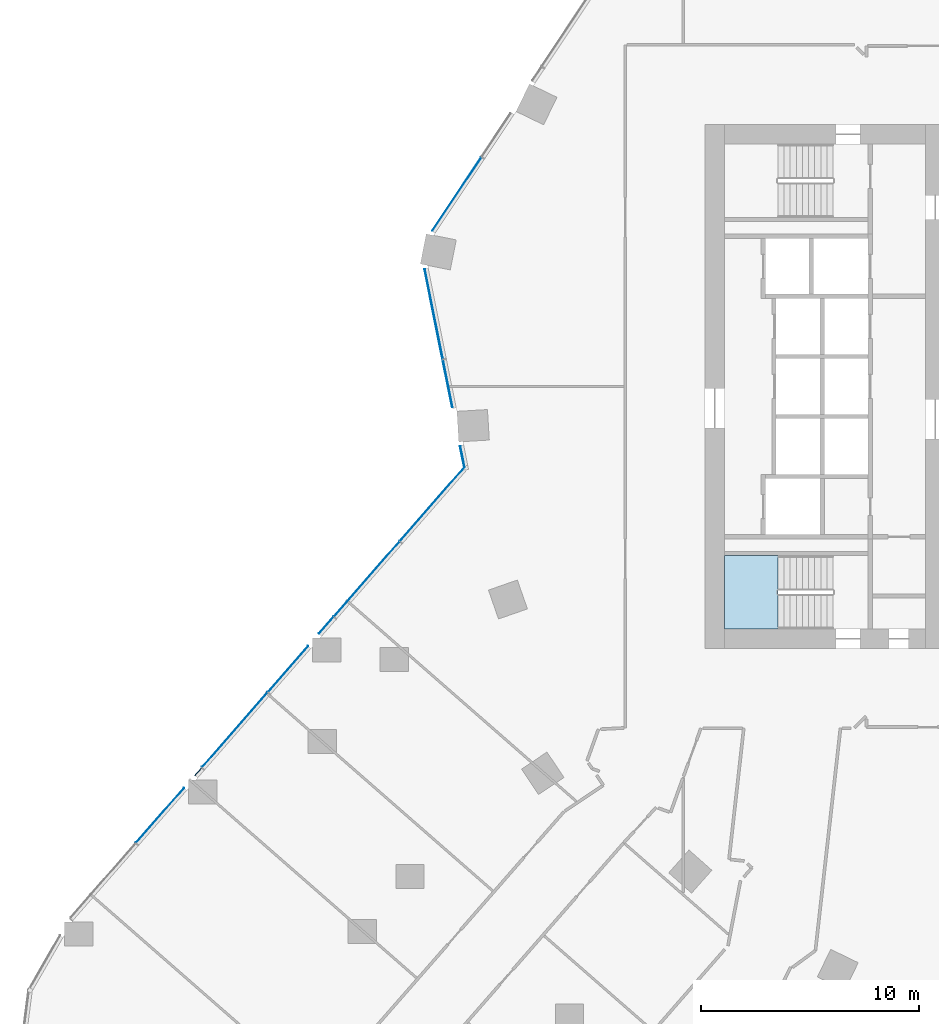
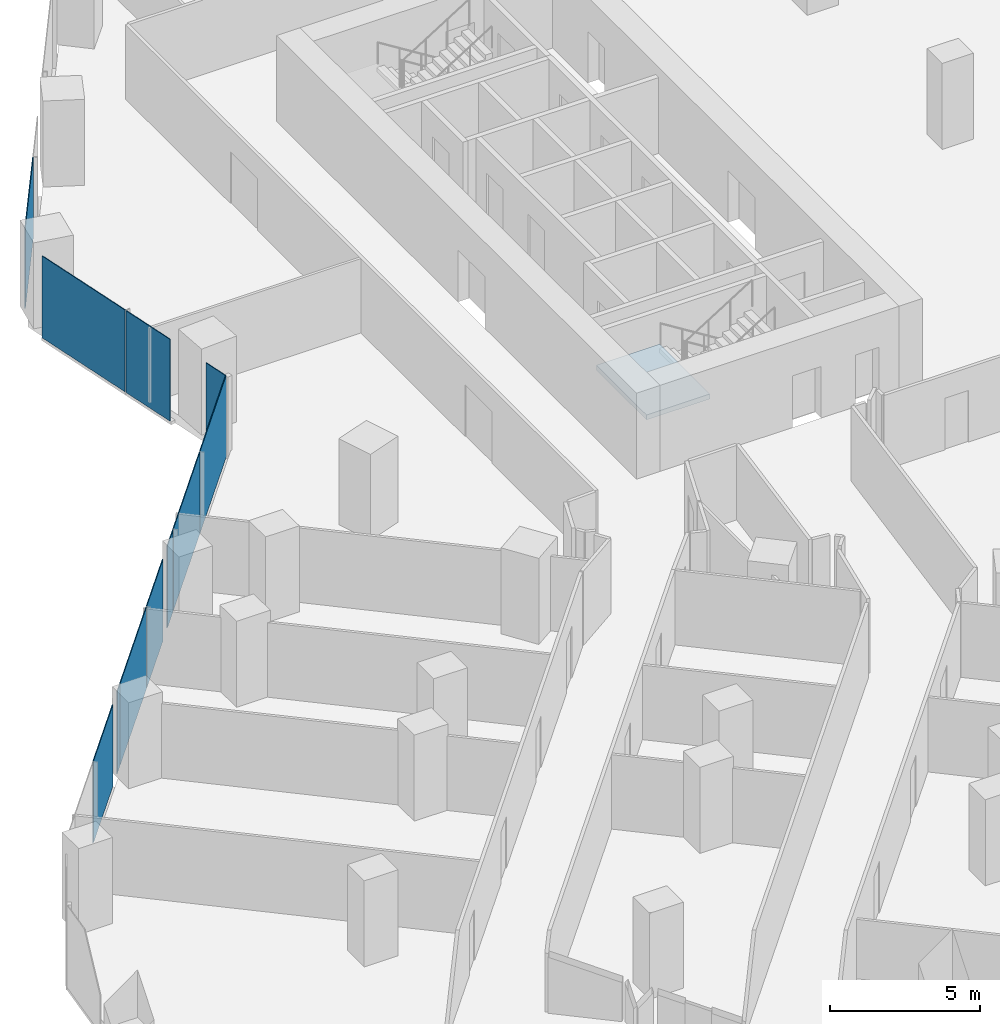
# One storey, part 20 of 38: 11 plates, 1 slab, 4 elements without a shape of their own.
"""IFC4 building model written with IfcOpenShell, lengths in metres."""

from ifc_helpers import new_model, si_unit, direction, frame, origin, origin_2d, place, context, subcontext, project, spatial, polyline, rectangle, outline, extrude, material, layer, layer_set, type_object, element, aggregate, save


model = new_model("IFC4")

# Units and contexts
model_context = context("Model", 3, precision=1e-05, world=origin(), true_north=direction((0.0, 1.0)))
body_context = subcontext(model_context, "Body", "Model", "MODEL_VIEW")
ifc_project = project(units=[si_unit("LENGTHUNIT", "METRE"), si_unit("AREAUNIT", "SQUARE_METRE"), si_unit("VOLUMEUNIT", "CUBIC_METRE"), si_unit("PLANEANGLEUNIT", "RADIAN"), si_unit("MASSUNIT", "GRAM", prefix="KILO")], contexts=[model_context])

# Site, building, storey
site_placement = place(None, origin())
site = spatial("IfcSite", under=ifc_project, at=site_placement, CompositionType="ELEMENT")
building_placement = place(site_placement, origin())
building = spatial("IfcBuilding", under=site, at=building_placement, Name="Orlundy Tower", CompositionType="ELEMENT")
storey_placement = place(building_placement, frame((0.0, 0.0, 69.300048828125)))
storey = spatial("IfcBuildingStorey", under=building, at=storey_placement, Name="L16", CompositionType="ELEMENT", Elevation=69.300048828125)

# Curtain wall, plates
ifc_material_1 = material(Name="Aluminium bronze anodised", Category="aluminium")
curtain_wall_type = type_object("IfcCurtainWallType", Name="CW1 wall", PredefinedType="NOTDEFINED", material=ifc_material_1)
curtain_wall_1_placement = place(storey_placement, origin())
curtain_wall_1 = element("IfcCurtainWall", 1, at=curtain_wall_1_placement, inside=storey, type_object=curtain_wall_type, Name="CW1 run 012", PredefinedType="NOTDEFINED")
ifc_material_2 = material(Name="Tinted glass", Category="glass")
ifc_layer_1 = layer(ifc_material_2, 0.031982421875)
ifc_layer_set_1 = layer_set([ifc_layer_1], Name="CW1 glass panel 32")
plate_type = type_object("IfcPlateType", Name="CW1 glass panel 32", PredefinedType="CURTAIN_PANEL", material=ifc_layer_set_1)
plate_1_placement = place(storey_placement, frame((-43.957275390625, -19.63818359375, -0.280029296875), z_axis=(0.0, 0.0, 1.0), x_axis=(0.658273153933, 0.752779154075, 0.0)))
plate_1 = element("IfcPlate", 2, at=plate_1_placement, type_object=plate_type, Name="CW1 panel", PredefinedType="CURTAIN_PANEL", context=body_context, shape_type="SweptSolid", body=[
    extrude(rectangle(XDim=3.33642578125, YDim=0.031982421875, at=origin_2d()), origin(), (0.0, 0.0, 1.0), 3.330078125),
])
plate_2_placement = place(storey_placement, frame((-42.218017578125, -17.649169921875, -0.280029296875), z_axis=(0.0, 0.0, 1.0), x_axis=(0.658273153933, 0.752779154075, 0.0)))
plate_2 = element("IfcPlate", 3, at=plate_2_placement, type_object=plate_type, Name="CW1 panel", PredefinedType="CURTAIN_PANEL", context=body_context, shape_type="SweptSolid", body=[
    extrude(rectangle(XDim=0.456787109375, YDim=0.031982421875, at=origin_2d()), origin(), (0.0, 0.0, 1.0), 3.330078125),
])
plate_3_placement = place(storey_placement, frame((-40.540771484375, -15.731201171875, -0.280029296875), z_axis=(0.0, 0.0, 1.0), x_axis=(0.658273153933, 0.752779154075, 0.0)))
plate_3 = element("IfcPlate", 4, at=plate_3_placement, type_object=plate_type, Name="CW1 panel", PredefinedType="CURTAIN_PANEL", context=body_context, shape_type="SweptSolid", body=[
    extrude(rectangle(XDim=4.538818359375, YDim=0.031982421875, at=origin_2d()), origin(), (0.0, 0.0, 1.0), 3.330078125),
])
plate_4_placement = place(storey_placement, frame((-38.095458984375, -12.934814453125, -0.280029296875), z_axis=(0.0, 0.0, 1.0), x_axis=(0.658273153933, 0.752779154075, 0.0)))
plate_4 = element("IfcPlate", 5, at=plate_4_placement, type_object=plate_type, Name="CW1 panel", PredefinedType="CURTAIN_PANEL", context=body_context, shape_type="SweptSolid", body=[
    extrude(rectangle(XDim=2.79052734375, YDim=0.031982421875, at=origin_2d()), origin(), (0.0, 0.0, 1.0), 3.330078125),
])
plate_5_placement = place(storey_placement, frame((-36.355712890625, -10.9453125, -0.280029296875), z_axis=(0.0, 0.0, 1.0), x_axis=(0.658273153933, 0.752779154075, 0.0)))
plate_5 = element("IfcPlate", 6, at=plate_5_placement, type_object=plate_type, Name="CW1 panel", PredefinedType="CURTAIN_PANEL", context=body_context, shape_type="SweptSolid", body=[
    extrude(rectangle(XDim=1.0009765625, YDim=0.031982421875, at=origin_2d()), origin(), (0.0, 0.0, 1.0), 3.330078125),
])
plate_6_placement = place(storey_placement, frame((-34.49951171875, -8.822509765625, -0.280029296875), z_axis=(0.0, 0.0, 1.0), x_axis=(0.658273153933, 0.752779154075, 0.0)))
plate_6 = element("IfcPlate", 7, at=plate_6_placement, type_object=plate_type, Name="CW1 panel", PredefinedType="CURTAIN_PANEL", context=body_context, shape_type="SweptSolid", body=[
    extrude(rectangle(XDim=4.538818359375, YDim=0.031982421875, at=origin_2d()), origin(), (0.0, 0.0, 1.0), 3.330078125),
])
plate_7_placement = place(storey_placement, frame((-31.4970703125, -5.38916015625, -0.280029296875), z_axis=(0.0, 0.0, 1.0), x_axis=(0.658273153933, 0.752779154075, 0.0)))
plate_7 = element("IfcPlate", 8, at=plate_7_placement, type_object=plate_type, Name="CW1 panel", PredefinedType="CURTAIN_PANEL", context=body_context, shape_type="SweptSolid", body=[
    extrude(rectangle(XDim=4.48291015625, YDim=0.031982421875, at=origin_2d()), origin(), (0.0, 0.0, 1.0), 3.330078125),
])
aggregate(curtain_wall_1, [plate_1, plate_2, plate_3, plate_4, plate_5, plate_6, plate_7])

curtain_wall_2_placement = place(storey_placement, origin())
curtain_wall_2 = element("IfcCurtainWall", 9, at=curtain_wall_2_placement, inside=storey, type_object=curtain_wall_type, Name="CW1 run 013", PredefinedType="NOTDEFINED")
plate_8_placement = place(storey_placement, frame((-30.11865234375, -3.21826171875, -0.280029296875), z_axis=(0.0, 0.0, 1.0), x_axis=(-0.196529373401, 0.980497937474, 0.0)))
plate_8 = element("IfcPlate", 10, at=plate_8_placement, type_object=plate_type, Name="CW1 panel", PredefinedType="CURTAIN_PANEL", context=body_context, shape_type="SweptSolid", body=[
    extrude(rectangle(XDim=0.986572265625, YDim=0.031982421875, at=origin_2d()), origin(), (0.0, 0.0, 1.0), 3.330078125),
])
plate_9_placement = place(storey_placement, frame((-30.789794921875, 0.130126953125, -0.280029296875), z_axis=(0.0, 0.0, 1.0), x_axis=(-0.196529373401, 0.980497937474, 0.0)))
plate_9 = element("IfcPlate", 11, at=plate_9_placement, type_object=plate_type, Name="CW1 panel", PredefinedType="CURTAIN_PANEL", context=body_context, shape_type="SweptSolid", body=[
    extrude(rectangle(XDim=2.209228515625, YDim=0.031982421875, at=origin_2d()), origin(), (0.0, 0.0, 1.0), 3.330078125),
])
plate_10_placement = place(storey_placement, frame((-31.42822265625, 3.315185546875, -0.280029296875), z_axis=(0.0, 0.0, 1.0), x_axis=(-0.196529373401, 0.980497937474, 0.0)))
plate_10 = element("IfcPlate", 12, at=plate_10_placement, type_object=plate_type, Name="CW1 panel", PredefinedType="CURTAIN_PANEL", context=body_context, shape_type="SweptSolid", body=[
    extrude(rectangle(XDim=4.187255859375, YDim=0.031982421875, at=origin_2d()), origin(), (0.0, 0.0, 1.0), 3.330078125),
])
aggregate(curtain_wall_2, [plate_8, plate_9, plate_10])

# Curtain wall, plate
curtain_wall_3_placement = place(storey_placement, origin())
curtain_wall_3 = element("IfcCurtainWall", 13, at=curtain_wall_3_placement, inside=storey, type_object=curtain_wall_type, Name="CW1 run 014", PredefinedType="NOTDEFINED")
plate_11_placement = place(storey_placement, frame((-30.37158203125, 8.81494140625, -0.280029296875), z_axis=(0.0, 0.0, 1.0), x_axis=(0.554356579774, 0.832279269513, 0.0)))
plate_11 = element("IfcPlate", 14, at=plate_11_placement, type_object=plate_type, Name="CW1 panel", PredefinedType="CURTAIN_PANEL", context=body_context, shape_type="SweptSolid", body=[
    extrude(rectangle(XDim=4.03955078125, YDim=0.031982421875, at=origin_2d()), origin(), (0.0, 0.0, 1.0), 3.330078125),
])
aggregate(curtain_wall_3, [plate_11])

# Stair, slab
ifc_material_3 = material(Name="Concrete C50/60", Category="concrete")
stair_type = type_object("IfcStairType", Name="Exit Stair 20 risers", PredefinedType="HALF_TURN_STAIR", material=ifc_material_3)
stair_placement = place(storey_placement, origin())
stair = element("IfcStair", 15, at=stair_placement, inside=storey, type_object=stair_type, Name="L16 Exit Stair ST-W2", PredefinedType="HALF_TURN_STAIR")
ifc_material_4 = material(Name="Concrete C50/60", Category="concrete")
ifc_layer_2 = layer(ifc_material_4, 0.199951171875)
ifc_layer_set_2 = layer_set([ifc_layer_2], Name="Exit Stair Landing")
slab_type = type_object("IfcSlabType", Name="Exit Stair Landing", PredefinedType="LANDING", material=ifc_layer_set_2)
slab_placement = place(storey_placement, frame((0.0, 0.0, 1.550048828125)))
slab = element("IfcSlab", 16, at=slab_placement, type_object=slab_type, Name="ST-W2 landing 1", PredefinedType="LANDING", context=body_context, shape_type="SweptSolid", body=[
    extrude(outline(polyline([(-15.659912109375, -7.75), (-18.10009765625, -7.75), (-18.10009765625, -11.10009765625), (-15.659912109375, -11.10009765625), (-15.659912109375, -7.75)])), origin(), (0.0, 0.0, 1.0), 0.199951171875),
])
aggregate(stair, [slab])

save(model, "model.ifc")
